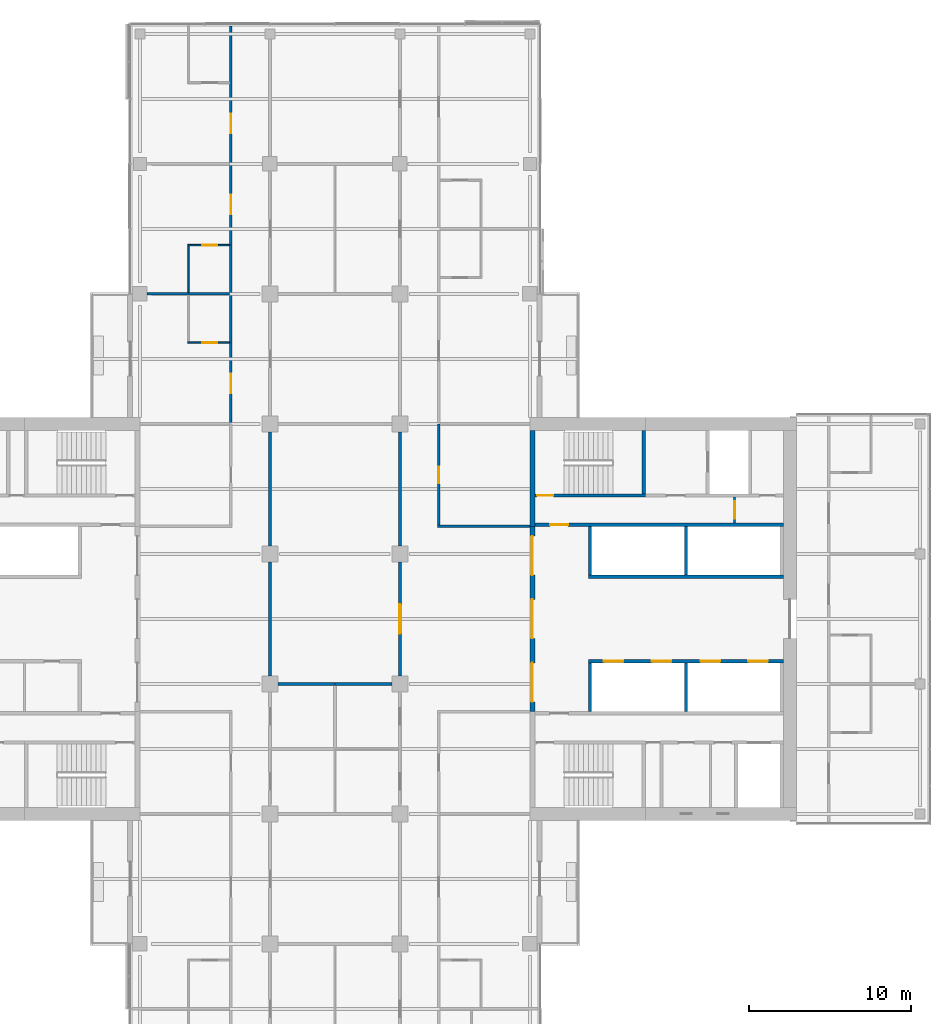
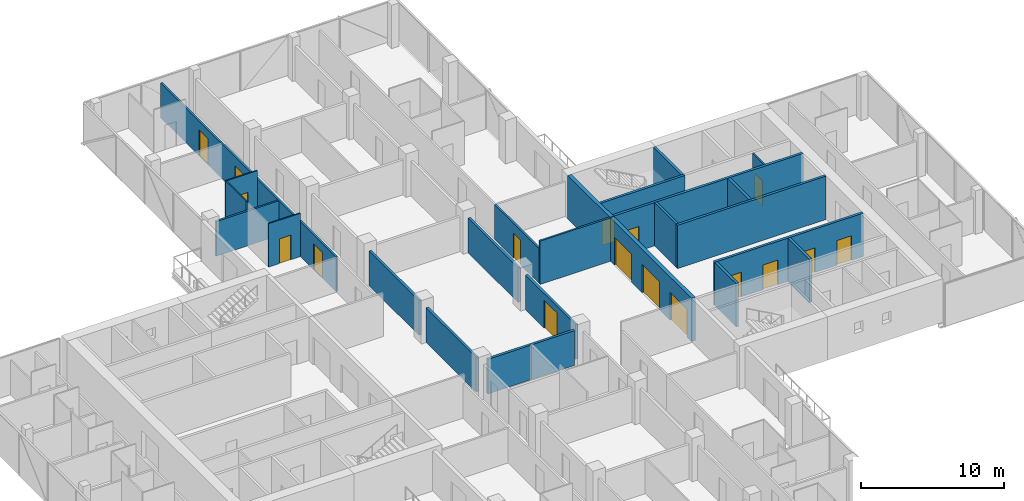
# One storey, part 18 of 25: 25 walls, 17 doors, 17 openings.
"""IFC4 building model written with IfcOpenShell, lengths in metres."""

from ifc_helpers import new_model, si_unit, direction, frame, frame_2d, origin, place, context, subcontext, project, spatial, rectangle, extrude, material, layer, layer_set, type_object, element, fill, save


model = new_model("IFC4")

# Units and contexts
model_context = context("Model", 3, precision=1e-05, world=origin(), true_north=direction((0.0, 1.0)))
body_context = subcontext(model_context, "Body", "Model", "MODEL_VIEW")
ifc_project = project(units=[si_unit("LENGTHUNIT", "METRE"), si_unit("AREAUNIT", "SQUARE_METRE"), si_unit("VOLUMEUNIT", "CUBIC_METRE"), si_unit("PLANEANGLEUNIT", "RADIAN"), si_unit("MASSUNIT", "GRAM", prefix="KILO")], contexts=[model_context])

# Site, building, storey
site_placement = place(None, origin())
site = spatial("IfcSite", under=ifc_project, at=site_placement, CompositionType="ELEMENT")
building_placement = place(site_placement, origin())
building = spatial("IfcBuilding", under=site, at=building_placement, Name="Crosswind Convention Tower", CompositionType="ELEMENT")
storey_placement = place(building_placement, frame((0.0, 0.0, 97.89990234375)))
storey = spatial("IfcBuildingStorey", under=building, at=storey_placement, Name="L19", CompositionType="ELEMENT", Elevation=97.89990234375)

# Walls
ifc_material_1 = material(Name="Concrete blockwork", Category="masonry")
ifc_layer_1 = layer(ifc_material_1, 0.199951171875)
ifc_layer_set_1 = layer_set([ifc_layer_1], Name="COMPARTMENT WALL 200")
wall_type_1 = type_object("IfcWallType", Name="COMPARTMENT WALL 200", PredefinedType="SOLIDWALL", material=ifc_layer_set_1)
wall_1_placement = place(storey_placement, frame((121.5, 96.0, 0.0), z_axis=(0.0, 0.0, 1.0), x_axis=(1.0, 0.0, 0.0)))
element("IfcWall", 1, at=wall_1_placement, inside=storey, type_object=wall_type_1, Name="Compartment Wall 23", PredefinedType="SOLIDWALL", context=body_context, shape_type="SweptSolid", body=[
    extrude(rectangle(XDim=3.5, YDim=0.199951171875, at=frame_2d((1.75, 0.0))), origin(), (0.0, 0.0, 1.0), 2.9599609375),
])
ifc_material_2 = material(Name="Plasterboard partition", Category="gypsum")
ifc_layer_2 = layer(ifc_material_2, 0.14990234375)
ifc_layer_set_2 = layer_set([ifc_layer_2], Name="CORRIDOR WALL 150")
wall_type_2 = type_object("IfcWallType", Name="CORRIDOR WALL 150", PredefinedType="PARTITIONING", material=ifc_layer_set_2)
wall_2_placement = place(storey_placement, frame((131.324951171875, 105.699951171875, 0.0), z_axis=(0.0, 0.0, 1.0), x_axis=(1.0, 0.0, 0.0)))
element("IfcWall", 2, at=wall_2_placement, inside=storey, type_object=wall_type_2, Name="Corridor Wall 33", PredefinedType="PARTITIONING", context=body_context, shape_type="SweptSolid", body=[
    extrude(rectangle(XDim=5.675048828125, YDim=0.14990234375, at=frame_2d((2.83740234375, 0.0))), origin(), (0.0, 0.0, 1.0), 3.7001953125),
])

# Wall, opening, door
wall_3_placement = place(storey_placement, frame((131.39990234375, 105.77490234375, 0.0), z_axis=(0.0, 0.0, 1.0), x_axis=(0.0, 1.0, 0.0)))
wall_3 = element("IfcWall", 3, at=wall_3_placement, inside=storey, type_object=wall_type_2, Name="Corridor Wall 91", PredefinedType="PARTITIONING", context=body_context, shape_type="SweptSolid", body=[
    extrude(rectangle(XDim=6.22509765625, YDim=0.14990234375, at=frame_2d((3.112548828125, 0.0))), origin(), (0.0, 0.0, 1.0), 2.95654296875),
])
opening_1_placement = place(wall_3_placement, frame((2.574951171875, 0.0, 0.0)))
opening_1 = element("IfcOpeningElement", 4, at=opening_1_placement, cuts=wall_3, Name="Opening 19.001", PredefinedType="OPENING", context=body_context, shape_type="SweptSolid", body=[
    extrude(rectangle(XDim=1.0, YDim=2.10009765625, at=frame_2d((0.5, 1.050048828125))), frame((0.0, 0.0849609375, 0.0), z_axis=(0.0, -1.0, 0.0), x_axis=(1.0, 0.0, 0.0)), (0.0, 0.0, 1.0), 0.169921875),
])
ifc_material_3 = material(Name="Timber fire door", Category="wood")
door_type_1 = type_object("IfcDoorType", Name="SERVICE ROOM DOOR 1000X2100", OperationType="NOTDEFINED", PredefinedType="DOOR", material=ifc_material_3)
door_1_placement = place(opening_1_placement, frame((1.0, 0.0, 0.0), z_axis=(0.0, 0.0, 1.0), x_axis=(-1.0, 0.0, 0.0)))
door_1 = element("IfcDoor", 5, at=door_1_placement, inside=storey, type_object=door_type_1, Name="Door 19.001", ObjectType="D3", OperationType="SINGLE_SWING_LEFT", OverallHeight=2.10009765625, OverallWidth=1.0, PredefinedType="DOOR", context=body_context, shape_type="SweptSolid", body=[
    extrude(rectangle(XDim=1.0, YDim=2.10009765625, at=frame_2d((0.5, 1.050048828125))), frame((0.0, 0.02490234375, 0.0), z_axis=(0.0, -1.0, 0.0), x_axis=(1.0, 0.0, 0.0)), (0.0, 0.0, 1.0), 0.050048828125),
])
fill(opening_1, door_1)

# Wall, openings, doors
ifc_material_4 = material(Name="Concrete C50/60", Category="concrete")
ifc_layer_3 = layer(ifc_material_4, 0.300048828125)
ifc_layer_set_3 = layer_set([ifc_layer_3], Name="Concrete C50/60")
wall_type_3 = type_object("IfcWallType", Name="Concrete inner core wall 300", PredefinedType="SHEAR", material=ifc_layer_set_3)
wall_4_placement = place(storey_placement, frame((137.14990234375, 94.300048828125, 0.0), z_axis=(0.0, 0.0, 1.0), x_axis=(0.0, 1.0, 0.0)))
wall_4 = element("IfcWall", 6, at=wall_4_placement, inside=storey, type_object=wall_type_3, Name="Wall SCR E L19", PredefinedType="SHEAR", context=body_context, shape_type="SweptSolid", body=[
    extrude(rectangle(XDim=11.39990234375, YDim=0.300048828125, at=frame_2d((5.699951171875, 0.0))), origin(), (0.0, 0.0, 1.0), 3.7001953125),
])
opening_2_placement = place(wall_4_placement, frame((0.60009765625, 0.0, 0.0)))
opening_2 = element("IfcOpeningElement", 7, at=opening_2_placement, cuts=wall_4, Name="Opening D100", PredefinedType="OPENING", context=body_context, shape_type="SweptSolid", body=[
    extrude(rectangle(XDim=2.39990234375, YDim=2.39990234375, at=frame_2d((1.199951171875, 1.199951171875))), frame((0.0, 0.159912109375, 0.0), z_axis=(0.0, -1.0, 0.0), x_axis=(1.0, 0.0, 0.0)), (0.0, 0.0, 1.0), 0.320068359375),
])
opening_3_placement = place(wall_4_placement, frame((4.5, 0.0, 0.0)))
opening_3 = element("IfcOpeningElement", 8, at=opening_3_placement, cuts=wall_4, Name="Opening D100", PredefinedType="OPENING", context=body_context, shape_type="SweptSolid", body=[
    extrude(rectangle(XDim=2.39990234375, YDim=2.39990234375, at=frame_2d((1.199951171875, 1.199951171875))), frame((0.0, 0.159912109375, 0.0), z_axis=(0.0, -1.0, 0.0), x_axis=(1.0, 0.0, 0.0)), (0.0, 0.0, 1.0), 0.320068359375),
])
opening_4_placement = place(wall_4_placement, frame((8.39990234375, 0.0, 0.0)))
opening_4 = element("IfcOpeningElement", 9, at=opening_4_placement, cuts=wall_4, Name="Opening D100", PredefinedType="OPENING", context=body_context, shape_type="SweptSolid", body=[
    extrude(rectangle(XDim=2.39990234375, YDim=2.39990234375, at=frame_2d((1.199951171875, 1.199951171875))), frame((0.0, 0.159912109375, 0.0), z_axis=(0.0, -1.0, 0.0), x_axis=(1.0, 0.0, 0.0)), (0.0, 0.0, 1.0), 0.320068359375),
])
ifc_material_5 = material(Name="Steel fire door with glazed vision panels", Category="steel")
door_type_2 = type_object("IfcDoorType", Name="Fire-rated double door 2400x2400", OperationType="DOUBLE_DOOR_SINGLE_SWING", PredefinedType="DOOR", material=ifc_material_5)
door_2_placement = place(opening_2_placement, origin())
door_2 = element("IfcDoor", 10, at=door_2_placement, inside=storey, type_object=door_type_2, Name="Lobby door 1 L19", ObjectType="D100", OperationType="DOUBLE_DOOR_SINGLE_SWING", OverallHeight=2.39990234375, OverallWidth=2.39990234375, PredefinedType="DOOR", context=body_context, shape_type="SweptSolid", body=[
    extrude(rectangle(XDim=2.39990234375, YDim=2.39990234375, at=frame_2d((1.199951171875, 1.199951171875))), frame((0.0, 0.02490234375, 0.0), z_axis=(0.0, -1.0, 0.0), x_axis=(1.0, 0.0, 0.0)), (0.0, 0.0, 1.0), 0.050048828125),
])
fill(opening_2, door_2)
door_3_placement = place(opening_3_placement, origin())
door_3 = element("IfcDoor", 11, at=door_3_placement, inside=storey, type_object=door_type_2, Name="Lobby door 2 L19", ObjectType="D100", OperationType="DOUBLE_DOOR_SINGLE_SWING", OverallHeight=2.39990234375, OverallWidth=2.39990234375, PredefinedType="DOOR", context=body_context, shape_type="SweptSolid", body=[
    extrude(rectangle(XDim=2.39990234375, YDim=2.39990234375, at=frame_2d((1.199951171875, 1.199951171875))), frame((0.0, 0.02490234375, 0.0), z_axis=(0.0, -1.0, 0.0), x_axis=(1.0, 0.0, 0.0)), (0.0, 0.0, 1.0), 0.050048828125),
])
fill(opening_3, door_3)
door_4_placement = place(opening_4_placement, origin())
door_4 = element("IfcDoor", 12, at=door_4_placement, inside=storey, type_object=door_type_2, Name="Lobby door 3 L19", ObjectType="D100", OperationType="DOUBLE_DOOR_SINGLE_SWING", OverallHeight=2.39990234375, OverallWidth=2.39990234375, PredefinedType="DOOR", context=body_context, shape_type="SweptSolid", body=[
    extrude(rectangle(XDim=2.39990234375, YDim=2.39990234375, at=frame_2d((1.199951171875, 1.199951171875))), frame((0.0, 0.02490234375, 0.0), z_axis=(0.0, -1.0, 0.0), x_axis=(1.0, 0.0, 0.0)), (0.0, 0.0, 1.0), 0.050048828125),
])
fill(opening_4, door_4)

# Walls
wall_5_placement = place(storey_placement, frame((137.14990234375, 105.699951171875, 0.0), z_axis=(0.0, 0.0, 1.0), x_axis=(0.0, 1.0, 0.0)))
element("IfcWall", 13, at=wall_5_placement, inside=storey, type_object=wall_type_3, Name="Wall EP E L19", PredefinedType="SHEAR", context=body_context, shape_type="SweptSolid", body=[
    extrude(rectangle(XDim=5.900146484375, YDim=0.300048828125, at=frame_2d((2.9501953125, 0.0))), origin(), (0.0, 0.0, 1.0), 3.7001953125),
])
ifc_layer_4 = layer(ifc_material_4, 0.199951171875)
ifc_layer_set_4 = layer_set([ifc_layer_4], Name="Concrete C50/60")
wall_type_4 = type_object("IfcWallType", Name="Concrete shaft and stair wall 200", PredefinedType="SHEAR", material=ifc_layer_set_4)
for number, where, z_axis, x_axis, name in (
    (14, (140.699951171875, 102.699951171875, 0.0), (0.0, 0.0, 1.0), (0.0, 1.0, 0.0), "Wall RPEND E L19"),
    (15, (146.60009765625, 102.699951171875, 0.0), (0.0, 0.0, 1.0), (0.0, 1.0, 0.0), "Wall RPSEP E L19"),
):
    element("IfcWall", number, at=place(storey_placement, frame(where, z_axis=z_axis, x_axis=x_axis)), inside=storey, type_object=wall_type_4, Name=name, PredefinedType="SHEAR", context=body_context, shape_type="SweptSolid", body=[
        extrude(rectangle(XDim=3.0, YDim=0.199951171875, at=frame_2d((1.5, 0.0))), origin(), (0.0, 0.0, 1.0), 3.7001953125),
    ])
wall_6_placement = place(storey_placement, frame((140.60009765625, 102.60009765625, 0.0), z_axis=(0.0, 0.0, 1.0), x_axis=(1.0, 0.0, 0.0)))
element("IfcWall", 16, at=wall_6_placement, inside=storey, type_object=wall_type_4, Name="Wall RPFRONT E L19", PredefinedType="SHEAR", context=body_context, shape_type="SweptSolid", body=[
    extrude(rectangle(XDim=12.0, YDim=0.199951171875, at=frame_2d((6.0, 0.0))), origin(), (0.0, 0.0, 1.0), 3.7001953125),
])
for number, where, z_axis, x_axis, name in (
    (17, (140.699951171875, 94.300048828125, 0.0), (0.0, 0.0, 1.0), (0.0, 1.0, 0.0), "Wall RMEND E L19"),
    (18, (146.60009765625, 94.300048828125, 0.0), (0.0, 0.0, 1.0), (0.0, 1.0, 0.0), "Wall RMSEP E L19"),
):
    element("IfcWall", number, at=place(storey_placement, frame(where, z_axis=z_axis, x_axis=x_axis)), inside=storey, type_object=wall_type_4, Name=name, PredefinedType="SHEAR", context=body_context, shape_type="SweptSolid", body=[
        extrude(rectangle(XDim=3.0, YDim=0.199951171875, at=frame_2d((1.5, 0.0))), origin(), (0.0, 0.0, 1.0), 3.7001953125),
    ])

# Wall, openings, doors
wall_7_placement = place(storey_placement, frame((140.60009765625, 97.39990234375, 0.0), z_axis=(0.0, 0.0, 1.0), x_axis=(1.0, 0.0, 0.0)))
wall_7 = element("IfcWall", 19, at=wall_7_placement, inside=storey, type_object=wall_type_4, Name="Wall RMFRONT E L19", PredefinedType="SHEAR", context=body_context, shape_type="SweptSolid", body=[
    extrude(rectangle(XDim=12.0, YDim=0.199951171875, at=frame_2d((6.0, 0.0))), origin(), (0.0, 0.0, 1.0), 3.7001953125),
])
opening_5_placement = place(wall_7_placement, frame((0.949951171875, 0.0, 0.0)))
opening_5 = element("IfcOpeningElement", 20, at=opening_5_placement, cuts=wall_7, Name="Opening LD1", PredefinedType="OPENING", context=body_context, shape_type="SweptSolid", body=[
    extrude(rectangle(XDim=1.199951171875, YDim=2.10009765625, at=frame_2d((0.60009765625, 1.050048828125))), frame((0.0, 0.10986328125, 0.0), z_axis=(0.0, -1.0, 0.0), x_axis=(1.0, 0.0, 0.0)), (0.0, 0.0, 1.0), 0.219970703125),
])
opening_6_placement = place(wall_7_placement, frame((3.89990234375, 0.0, 0.0)))
opening_6 = element("IfcOpeningElement", 21, at=opening_6_placement, cuts=wall_7, Name="Opening LD1", PredefinedType="OPENING", context=body_context, shape_type="SweptSolid", body=[
    extrude(rectangle(XDim=1.199951171875, YDim=2.10009765625, at=frame_2d((0.60009765625, 1.050048828125))), frame((0.0, 0.10986328125, 0.0), z_axis=(0.0, -1.0, 0.0), x_axis=(1.0, 0.0, 0.0)), (0.0, 0.0, 1.0), 0.219970703125),
])
opening_7_placement = place(wall_7_placement, frame((6.89990234375, 0.0, 0.0)))
opening_7 = element("IfcOpeningElement", 22, at=opening_7_placement, cuts=wall_7, Name="Opening LD1", PredefinedType="OPENING", context=body_context, shape_type="SweptSolid", body=[
    extrude(rectangle(XDim=1.199951171875, YDim=2.10009765625, at=frame_2d((0.60009765625, 1.050048828125))), frame((0.0, 0.10986328125, 0.0), z_axis=(0.0, -1.0, 0.0), x_axis=(1.0, 0.0, 0.0)), (0.0, 0.0, 1.0), 0.219970703125),
])
opening_8_placement = place(wall_7_placement, frame((9.85009765625, 0.0, 0.0)))
opening_8 = element("IfcOpeningElement", 23, at=opening_8_placement, cuts=wall_7, Name="Opening LD1", PredefinedType="OPENING", context=body_context, shape_type="SweptSolid", body=[
    extrude(rectangle(XDim=1.199951171875, YDim=2.10009765625, at=frame_2d((0.60009765625, 1.050048828125))), frame((0.0, 0.10986328125, 0.0), z_axis=(0.0, -1.0, 0.0), x_axis=(1.0, 0.0, 0.0)), (0.0, 0.0, 1.0), 0.219970703125),
])
ifc_material_6 = material(Name="Stainless steel", Category="steel")
door_type_3 = type_object("IfcDoorType", Name="Lift landing door 1200x2100", OperationType="DOUBLE_DOOR_SLIDING", PredefinedType="DOOR", material=ifc_material_6)
door_5_placement = place(opening_5_placement, origin())
door_5 = element("IfcDoor", 24, at=door_5_placement, inside=storey, type_object=door_type_3, Name="Landing door H1 L19", ObjectType="LD1", OperationType="DOUBLE_DOOR_SLIDING", OverallHeight=2.10009765625, OverallWidth=1.199951171875, PredefinedType="DOOR", context=body_context, shape_type="SweptSolid", body=[
    extrude(rectangle(XDim=1.199951171875, YDim=2.10009765625, at=frame_2d((0.60009765625, 1.050048828125))), frame((0.0, 0.02490234375, 0.0), z_axis=(0.0, -1.0, 0.0), x_axis=(1.0, 0.0, 0.0)), (0.0, 0.0, 1.0), 0.050048828125),
])
fill(opening_5, door_5)
door_6_placement = place(opening_6_placement, origin())
door_6 = element("IfcDoor", 25, at=door_6_placement, inside=storey, type_object=door_type_3, Name="Landing door H2 L19", ObjectType="LD1", OperationType="DOUBLE_DOOR_SLIDING", OverallHeight=2.10009765625, OverallWidth=1.199951171875, PredefinedType="DOOR", context=body_context, shape_type="SweptSolid", body=[
    extrude(rectangle(XDim=1.199951171875, YDim=2.10009765625, at=frame_2d((0.60009765625, 1.050048828125))), frame((0.0, 0.02490234375, 0.0), z_axis=(0.0, -1.0, 0.0), x_axis=(1.0, 0.0, 0.0)), (0.0, 0.0, 1.0), 0.050048828125),
])
fill(opening_6, door_6)
door_7_placement = place(opening_7_placement, origin())
door_7 = element("IfcDoor", 26, at=door_7_placement, inside=storey, type_object=door_type_3, Name="Landing door H3 L19", ObjectType="LD1", OperationType="DOUBLE_DOOR_SLIDING", OverallHeight=2.10009765625, OverallWidth=1.199951171875, PredefinedType="DOOR", context=body_context, shape_type="SweptSolid", body=[
    extrude(rectangle(XDim=1.199951171875, YDim=2.10009765625, at=frame_2d((0.60009765625, 1.050048828125))), frame((0.0, 0.02490234375, 0.0), z_axis=(0.0, -1.0, 0.0), x_axis=(1.0, 0.0, 0.0)), (0.0, 0.0, 1.0), 0.050048828125),
])
fill(opening_7, door_7)
door_8_placement = place(opening_8_placement, origin())
door_8 = element("IfcDoor", 27, at=door_8_placement, inside=storey, type_object=door_type_3, Name="Landing door H4 L19", ObjectType="LD1", OperationType="DOUBLE_DOOR_SLIDING", OverallHeight=2.10009765625, OverallWidth=1.199951171875, PredefinedType="DOOR", context=body_context, shape_type="SweptSolid", body=[
    extrude(rectangle(XDim=1.199951171875, YDim=2.10009765625, at=frame_2d((0.60009765625, 1.050048828125))), frame((0.0, 0.02490234375, 0.0), z_axis=(0.0, -1.0, 0.0), x_axis=(1.0, 0.0, 0.0)), (0.0, 0.0, 1.0), 0.050048828125),
])
fill(opening_8, door_8)

# Wall, opening, door
wall_8_placement = place(storey_placement, frame((137.300048828125, 105.800048828125, 0.0), z_axis=(0.0, 0.0, 1.0), x_axis=(1.0, 0.0, 0.0)))
wall_8 = element("IfcWall", 28, at=wall_8_placement, inside=storey, type_object=wall_type_4, Name="Wall HP E L19", PredefinedType="SHEAR", context=body_context, shape_type="SweptSolid", body=[
    extrude(rectangle(XDim=15.300048828125, YDim=0.199951171875, at=frame_2d((7.64990234375, 0.0))), origin(), (0.0, 0.0, 1.0), 3.7001953125),
])
opening_9_placement = place(wall_8_placement, frame((0.949951171875, 0.0, 0.0)))
opening_9 = element("IfcOpeningElement", 29, at=opening_9_placement, cuts=wall_8, Name="Opening D104", PredefinedType="OPENING", context=body_context, shape_type="SweptSolid", body=[
    extrude(rectangle(XDim=1.10009765625, YDim=2.10009765625, at=frame_2d((0.550048828125, 1.050048828125))), frame((0.0, 0.10986328125, 0.0), z_axis=(0.0, -1.0, 0.0), x_axis=(1.0, 0.0, 0.0)), (0.0, 0.0, 1.0), 0.219970703125),
])
ifc_material_7 = material(Name="Steel fire door", Category="steel")
door_type_4 = type_object("IfcDoorType", Name="Fire-rated single door 1100x2100", OperationType="NOTDEFINED", PredefinedType="DOOR", material=ifc_material_7)
door_9_placement = place(opening_9_placement, origin())
door_9 = element("IfcDoor", 30, at=door_9_placement, inside=storey, type_object=door_type_4, Name="Corridor door L19", ObjectType="D104", OperationType="SINGLE_SWING_LEFT", OverallHeight=2.10009765625, OverallWidth=1.10009765625, PredefinedType="DOOR", context=body_context, shape_type="SweptSolid", body=[
    extrude(rectangle(XDim=1.10009765625, YDim=2.10009765625, at=frame_2d((0.550048828125, 1.050048828125))), frame((0.0, 0.02490234375, 0.0), z_axis=(0.0, -1.0, 0.0), x_axis=(1.0, 0.0, 0.0)), (0.0, 0.0, 1.0), 0.050048828125),
])
fill(opening_9, door_9)

# Wall
wall_9_placement = place(storey_placement, frame((144.0, 107.699951171875, 0.0), z_axis=(0.0, 0.0, 1.0), x_axis=(0.0, 1.0, 0.0)))
element("IfcWall", 31, at=wall_9_placement, inside=storey, type_object=wall_type_4, Name="Wall PSE E L19", PredefinedType="SHEAR", context=body_context, shape_type="SweptSolid", body=[
    extrude(rectangle(XDim=3.900146484375, YDim=0.199951171875, at=frame_2d((1.9501953125, 0.0))), origin(), (0.0, 0.0, 1.0), 3.7001953125),
])

# Wall, opening, door
wall_10_placement = place(storey_placement, frame((137.300048828125, 107.60009765625, 0.0), z_axis=(0.0, 0.0, 1.0), x_axis=(1.0, 0.0, 0.0)))
wall_10 = element("IfcWall", 32, at=wall_10_placement, inside=storey, type_object=wall_type_4, Name="Wall PCW E L19", PredefinedType="SHEAR", context=body_context, shape_type="SweptSolid", body=[
    extrude(rectangle(XDim=6.800048828125, YDim=0.199951171875, at=frame_2d((3.39990234375, 0.0))), origin(), (0.0, 0.0, 1.0), 3.7001953125),
])
opening_10_placement = place(wall_10_placement, frame((0.14990234375, 0.0, 0.0)))
opening_10 = element("IfcOpeningElement", 33, at=opening_10_placement, cuts=wall_10, Name="Opening D103", PredefinedType="OPENING", context=body_context, shape_type="SweptSolid", body=[
    extrude(rectangle(XDim=1.0, YDim=2.10009765625, at=frame_2d((0.5, 1.050048828125))), frame((0.0, 0.10986328125, 0.0), z_axis=(0.0, -1.0, 0.0), x_axis=(1.0, 0.0, 0.0)), (0.0, 0.0, 1.0), 0.219970703125),
])
door_type_5 = type_object("IfcDoorType", Name="Fire-rated single door 1000x2100", OperationType="NOTDEFINED", PredefinedType="DOOR", material=ifc_material_7)
door_10_placement = place(opening_10_placement, origin())
door_10 = element("IfcDoor", 34, at=door_10_placement, inside=storey, type_object=door_type_5, Name="Stair ST1 door L19", ObjectType="D103", OperationType="SINGLE_SWING_LEFT", OverallHeight=2.10009765625, OverallWidth=1.0, PredefinedType="DOOR", context=body_context, shape_type="SweptSolid", body=[
    extrude(rectangle(XDim=1.0, YDim=2.10009765625, at=frame_2d((0.5, 1.050048828125))), frame((0.0, 0.02490234375, 0.0), z_axis=(0.0, -1.0, 0.0), x_axis=(1.0, 0.0, 0.0)), (0.0, 0.0, 1.0), 0.050048828125),
])
fill(opening_10, door_10)

ifc_material_8 = material(Name="Gypsum plasterboard partition", Category="gypsum")
ifc_layer_5 = layer(ifc_material_8, 0.125)
ifc_layer_set_5 = layer_set([ifc_layer_5], Name="Drywall partition wall 125")
wall_type_5 = type_object("IfcWallType", Name="Drywall partition wall 125", PredefinedType="PARTITIONING", material=ifc_layer_set_5)
wall_11_placement = place(storey_placement, frame((149.60009765625, 105.89990234375, 0.0), z_axis=(0.0, 0.0, 1.0), x_axis=(0.0, 1.0, 0.0)))
wall_11 = element("IfcWall", 35, at=wall_11_placement, inside=storey, type_object=wall_type_5, Name="Wall PXC1 E L19", PredefinedType="PARTITIONING", context=body_context, shape_type="SweptSolid", body=[
    extrude(rectangle(XDim=1.60009765625, YDim=0.125, at=frame_2d((0.800048828125, 0.0))), origin(), (0.0, 0.0, 1.0), 3.7001953125),
])
opening_11_placement = place(wall_11_placement, frame((0.25, 0.0, 0.0)))
opening_11 = element("IfcOpeningElement", 36, at=opening_11_placement, cuts=wall_11, Name="Opening D104", PredefinedType="OPENING", context=body_context, shape_type="SweptSolid", body=[
    extrude(rectangle(XDim=1.10009765625, YDim=2.10009765625, at=frame_2d((0.550048828125, 1.050048828125))), frame((0.0, 0.072509765625, 0.0), z_axis=(0.0, -1.0, 0.0), x_axis=(1.0, 0.0, 0.0)), (0.0, 0.0, 1.0), 0.14501953125),
])
door_11_placement = place(opening_11_placement, origin())
door_11 = element("IfcDoor", 37, at=door_11_placement, inside=storey, type_object=door_type_4, Name="Corridor smoke door L19", ObjectType="D104", OperationType="SINGLE_SWING_RIGHT", OverallHeight=2.10009765625, OverallWidth=1.10009765625, PredefinedType="DOOR", context=body_context, shape_type="SweptSolid", body=[
    extrude(rectangle(XDim=1.10009765625, YDim=2.10009765625, at=frame_2d((0.550048828125, 1.050048828125))), frame((0.0, 0.02490234375, 0.0), z_axis=(0.0, -1.0, 0.0), x_axis=(1.0, 0.0, 0.0)), (0.0, 0.0, 1.0), 0.050048828125),
])
fill(opening_11, door_11)

# Wall
ifc_material_9 = material(Name="Acoustic plasterboard partition", Category="gypsum")
ifc_layer_6 = layer(ifc_material_9, 0.14990234375)
ifc_layer_set_6 = layer_set([ifc_layer_6], Name="GUEST ROOM WALL 150")
wall_type_6 = type_object("IfcWallType", Name="GUEST ROOM WALL 150", PredefinedType="PARTITIONING", material=ifc_layer_set_6)
wall_12_placement = place(storey_placement, frame((113.449951171875, 120.0, 0.0), z_axis=(0.0, 0.0, 1.0), x_axis=(1.0, 0.0, 0.0)))
element("IfcWall", 38, at=wall_12_placement, inside=storey, type_object=wall_type_6, Name="Guest Room Wall 42", PredefinedType="PARTITIONING", context=body_context, shape_type="SweptSolid", body=[
    extrude(rectangle(XDim=5.074951171875, YDim=0.14990234375, at=frame_2d((2.53759765625, 0.0))), origin(), (0.0, 0.0, 1.0), 2.9599609375),
])

# Wall, openings, doors
wall_13_placement = place(storey_placement, frame((118.60009765625, 112.0, 0.0), z_axis=(0.0, 0.0, 1.0), x_axis=(0.0, 1.0, 0.0)))
wall_13 = element("IfcWall", 39, at=wall_13_placement, inside=storey, type_object=wall_type_6, Name="Guest Room Wall 65", PredefinedType="PARTITIONING", context=body_context, shape_type="SweptSolid", body=[
    extrude(rectangle(XDim=24.5, YDim=0.14990234375, at=frame_2d((12.25, 0.0))), origin(), (0.0, 0.0, 1.0), 2.95654296875),
])
opening_12_placement = place(wall_13_placement, frame((1.89990234375, 0.0, 0.0)))
opening_12 = element("IfcOpeningElement", 40, at=opening_12_placement, cuts=wall_13, Name="Opening 19.009", PredefinedType="OPENING", context=body_context, shape_type="SweptSolid", body=[
    extrude(rectangle(XDim=1.199951171875, YDim=2.199951171875, at=frame_2d((0.60009765625, 1.10009765625))), frame((0.0, 0.0849609375, 0.0), z_axis=(0.0, -1.0, 0.0), x_axis=(1.0, 0.0, 0.0)), (0.0, 0.0, 1.0), 0.169921875),
])
opening_13_placement = place(wall_13_placement, frame((12.89990234375, 0.0, 0.0)))
opening_13 = element("IfcOpeningElement", 41, at=opening_13_placement, cuts=wall_13, Name="Opening 19.011", PredefinedType="OPENING", context=body_context, shape_type="SweptSolid", body=[
    extrude(rectangle(XDim=1.199951171875, YDim=2.199951171875, at=frame_2d((0.60009765625, 1.10009765625))), frame((0.0, 0.0849609375, 0.0), z_axis=(0.0, -1.0, 0.0), x_axis=(1.0, 0.0, 0.0)), (0.0, 0.0, 1.0), 0.169921875),
])
opening_14_placement = place(wall_13_placement, frame((17.89990234375, 0.0, 0.0)))
opening_14 = element("IfcOpeningElement", 42, at=opening_14_placement, cuts=wall_13, Name="Opening 19.013", PredefinedType="OPENING", context=body_context, shape_type="SweptSolid", body=[
    extrude(rectangle(XDim=1.199951171875, YDim=2.199951171875, at=frame_2d((0.60009765625, 1.10009765625))), frame((0.0, 0.0849609375, 0.0), z_axis=(0.0, -1.0, 0.0), x_axis=(1.0, 0.0, 0.0)), (0.0, 0.0, 1.0), 0.169921875),
])
door_type_6 = type_object("IfcDoorType", Name="SUITE DOOR 1200X2200", OperationType="DOUBLE_DOOR_SINGLE_SWING", PredefinedType="DOOR", material=ifc_material_3)
door_12_placement = place(opening_12_placement, origin())
door_12 = element("IfcDoor", 43, at=door_12_placement, inside=storey, type_object=door_type_6, Name="Door 19.009", ObjectType="D14", OperationType="DOUBLE_DOOR_SINGLE_SWING", OverallHeight=2.199951171875, OverallWidth=1.199951171875, PredefinedType="DOOR", context=body_context, shape_type="SweptSolid", body=[
    extrude(rectangle(XDim=1.199951171875, YDim=2.199951171875, at=frame_2d((0.60009765625, 1.10009765625))), frame((0.0, 0.02490234375, 0.0), z_axis=(0.0, -1.0, 0.0), x_axis=(1.0, 0.0, 0.0)), (0.0, 0.0, 1.0), 0.050048828125),
])
fill(opening_12, door_12)
door_13_placement = place(opening_13_placement, origin())
door_13 = element("IfcDoor", 44, at=door_13_placement, inside=storey, type_object=door_type_6, Name="Door 19.011", ObjectType="D14", OperationType="DOUBLE_DOOR_SINGLE_SWING", OverallHeight=2.199951171875, OverallWidth=1.199951171875, PredefinedType="DOOR", context=body_context, shape_type="SweptSolid", body=[
    extrude(rectangle(XDim=1.199951171875, YDim=2.199951171875, at=frame_2d((0.60009765625, 1.10009765625))), frame((0.0, 0.02490234375, 0.0), z_axis=(0.0, -1.0, 0.0), x_axis=(1.0, 0.0, 0.0)), (0.0, 0.0, 1.0), 0.050048828125),
])
fill(opening_13, door_13)
door_14_placement = place(opening_14_placement, origin())
door_14 = element("IfcDoor", 45, at=door_14_placement, inside=storey, type_object=door_type_6, Name="Door 19.013", ObjectType="D14", OperationType="DOUBLE_DOOR_SINGLE_SWING", OverallHeight=2.199951171875, OverallWidth=1.199951171875, PredefinedType="DOOR", context=body_context, shape_type="SweptSolid", body=[
    extrude(rectangle(XDim=1.199951171875, YDim=2.199951171875, at=frame_2d((0.60009765625, 1.10009765625))), frame((0.0, 0.02490234375, 0.0), z_axis=(0.0, -1.0, 0.0), x_axis=(1.0, 0.0, 0.0)), (0.0, 0.0, 1.0), 0.050048828125),
])
fill(opening_14, door_14)

# Walls
ifc_material_10 = material(Name="Double plasterboard partition", Category="gypsum")
ifc_layer_7 = layer(ifc_material_10, 0.199951171875)
ifc_layer_set_7 = layer_set([ifc_layer_7], Name="HALL WALL 200")
wall_type_7 = type_object("IfcWallType", Name="HALL WALL 200", PredefinedType="PARTITIONING", material=ifc_layer_set_7)
wall_14_placement = place(storey_placement, frame((125.0, 96.0, 0.0), z_axis=(0.0, 0.0, 1.0), x_axis=(1.0, 0.0, 0.0)))
element("IfcWall", 46, at=wall_14_placement, inside=storey, type_object=wall_type_7, Name="Hall Wall 24", PredefinedType="PARTITIONING", context=body_context, shape_type="SweptSolid", body=[
    extrude(rectangle(XDim=3.5, YDim=0.199951171875, at=frame_2d((1.75, 0.0))), origin(), (0.0, 0.0, 1.0), 2.9599609375),
])
for number, where, z_axis, x_axis, name in (
    (47, (121.0, 96.5, 0.0), (0.0, 0.0, 1.0), (0.0, 1.0, 0.0), "Hall Wall 71"),
    (48, (121.0, 104.5, 0.0), (0.0, 0.0, 1.0), (0.0, 1.0, 0.0), "Hall Wall 72"),
):
    element("IfcWall", number, at=place(storey_placement, frame(where, z_axis=z_axis, x_axis=x_axis)), inside=storey, type_object=wall_type_7, Name=name, PredefinedType="PARTITIONING", context=body_context, shape_type="SweptSolid", body=[
        extrude(rectangle(XDim=7.0, YDim=0.199951171875, at=frame_2d((3.5, 0.0))), origin(), (0.0, 0.0, 1.0), 2.9599609375),
    ])

# Wall, opening, door
wall_15_placement = place(storey_placement, frame((129.0, 96.5, 0.0), z_axis=(0.0, 0.0, 1.0), x_axis=(0.0, 1.0, 0.0)))
wall_15 = element("IfcWall", 49, at=wall_15_placement, inside=storey, type_object=wall_type_7, Name="Hall Wall 84", PredefinedType="PARTITIONING", context=body_context, shape_type="SweptSolid", body=[
    extrude(rectangle(XDim=7.0, YDim=0.199951171875, at=frame_2d((3.5, 0.0))), origin(), (0.0, 0.0, 1.0), 2.9599609375),
])
opening_15_placement = place(wall_15_placement, frame((2.60009765625, 0.0, 0.0)))
opening_15 = element("IfcOpeningElement", 50, at=opening_15_placement, cuts=wall_15, Name="Opening 19.051", PredefinedType="OPENING", context=body_context, shape_type="SweptSolid", body=[
    extrude(rectangle(XDim=1.800048828125, YDim=2.39990234375, at=frame_2d((0.89990234375, 1.199951171875))), frame((0.0, 0.10986328125, 0.0), z_axis=(0.0, -1.0, 0.0), x_axis=(1.0, 0.0, 0.0)), (0.0, 0.0, 1.0), 0.219970703125),
])
door_type_7 = type_object("IfcDoorType", Name="HALL DOUBLE DOOR 1800X2400", OperationType="DOUBLE_DOOR_SINGLE_SWING", PredefinedType="DOOR", material=ifc_material_3)
door_15_placement = place(opening_15_placement, frame((1.800048828125, 0.0, 0.0), z_axis=(0.0, 0.0, 1.0), x_axis=(-1.0, 0.0, 0.0)))
door_15 = element("IfcDoor", 51, at=door_15_placement, inside=storey, type_object=door_type_7, Name="Door 19.051", ObjectType="D5", OperationType="DOUBLE_DOOR_SINGLE_SWING", OverallHeight=2.39990234375, OverallWidth=1.800048828125, PredefinedType="DOOR", context=body_context, shape_type="SweptSolid", body=[
    extrude(rectangle(XDim=1.800048828125, YDim=2.39990234375, at=frame_2d((0.89990234375, 1.199951171875))), frame((0.0, 0.02490234375, 0.0), z_axis=(0.0, -1.0, 0.0), x_axis=(1.0, 0.0, 0.0)), (0.0, 0.0, 1.0), 0.050048828125),
])
fill(opening_15, door_15)

# Wall
wall_16_placement = place(storey_placement, frame((129.0, 104.5, 0.0), z_axis=(0.0, 0.0, 1.0), x_axis=(0.0, 1.0, 0.0)))
element("IfcWall", 52, at=wall_16_placement, inside=storey, type_object=wall_type_7, Name="Hall Wall 85", PredefinedType="PARTITIONING", context=body_context, shape_type="SweptSolid", body=[
    extrude(rectangle(XDim=7.0, YDim=0.199951171875, at=frame_2d((3.5, 0.0))), origin(), (0.0, 0.0, 1.0), 2.9599609375),
])

# Wall, opening, door
ifc_material_11 = material(Name="Water-resistant plasterboard partition", Category="gypsum")
ifc_layer_8 = layer(ifc_material_11, 0.10009765625)
ifc_layer_set_8 = layer_set([ifc_layer_8], Name="WET ROOM PARTITION 100")
wall_type_8 = type_object("IfcWallType", Name="WET ROOM PARTITION 100", PredefinedType="PLUMBINGWALL", material=ifc_layer_set_8)
wall_17_placement = place(storey_placement, frame((115.949951171875, 117.0, 0.0), z_axis=(0.0, 0.0, 1.0), x_axis=(1.0, 0.0, 0.0)))
wall_17 = element("IfcWall", 53, at=wall_17_placement, inside=storey, type_object=wall_type_8, Name="Wet Room Partition 41", PredefinedType="PLUMBINGWALL", context=body_context, shape_type="SweptSolid", body=[
    extrude(rectangle(XDim=2.574951171875, YDim=0.10009765625, at=frame_2d((1.28759765625, 0.0))), origin(), (0.0, 0.0, 1.0), 3.7001953125),
])
opening_16_placement = place(wall_17_placement, frame((0.89990234375, 0.0, 0.0)))
opening_16 = element("IfcOpeningElement", 54, at=opening_16_placement, cuts=wall_17, Name="Opening 19.010", PredefinedType="OPENING", context=body_context, shape_type="SweptSolid", body=[
    extrude(rectangle(XDim=0.89990234375, YDim=2.10009765625, at=frame_2d((0.449951171875, 1.050048828125))), frame((0.0, 0.06005859375, 0.0), z_axis=(0.0, -1.0, 0.0), x_axis=(1.0, 0.0, 0.0)), (0.0, 0.0, 1.0), 0.1201171875),
])
ifc_material_12 = material(Name="Timber door", Category="wood")
door_type_8 = type_object("IfcDoorType", Name="EN-SUITE DOOR 900X2100", OperationType="NOTDEFINED", PredefinedType="DOOR", material=ifc_material_12)
door_16_placement = place(opening_16_placement, origin())
door_16 = element("IfcDoor", 55, at=door_16_placement, inside=storey, type_object=door_type_8, Name="Door 19.010", ObjectType="D2", OperationType="SINGLE_SWING_RIGHT", OverallHeight=2.10009765625, OverallWidth=0.89990234375, PredefinedType="DOOR", context=body_context, shape_type="SweptSolid", body=[
    extrude(rectangle(XDim=0.89990234375, YDim=2.10009765625, at=frame_2d((0.449951171875, 1.050048828125))), frame((0.0, 0.02490234375, 0.0), z_axis=(0.0, -1.0, 0.0), x_axis=(1.0, 0.0, 0.0)), (0.0, 0.0, 1.0), 0.050048828125),
])
fill(opening_16, door_16)

wall_18_placement = place(storey_placement, frame((115.949951171875, 123.0, 0.0), z_axis=(0.0, 0.0, 1.0), x_axis=(1.0, 0.0, 0.0)))
wall_18 = element("IfcWall", 56, at=wall_18_placement, inside=storey, type_object=wall_type_8, Name="Wet Room Partition 45", PredefinedType="PLUMBINGWALL", context=body_context, shape_type="SweptSolid", body=[
    extrude(rectangle(XDim=2.574951171875, YDim=0.10009765625, at=frame_2d((1.28759765625, 0.0))), origin(), (0.0, 0.0, 1.0), 3.7001953125),
])
opening_17_placement = place(wall_18_placement, frame((0.89990234375, 0.0, 0.0)))
opening_17 = element("IfcOpeningElement", 57, at=opening_17_placement, cuts=wall_18, Name="Opening 19.012", PredefinedType="OPENING", context=body_context, shape_type="SweptSolid", body=[
    extrude(rectangle(XDim=0.89990234375, YDim=2.10009765625, at=frame_2d((0.449951171875, 1.050048828125))), frame((0.0, 0.06005859375, 0.0), z_axis=(0.0, -1.0, 0.0), x_axis=(1.0, 0.0, 0.0)), (0.0, 0.0, 1.0), 0.1201171875),
])
door_17_placement = place(opening_17_placement, frame((0.89990234375, 0.0, 0.0), z_axis=(0.0, 0.0, 1.0), x_axis=(-1.0, 0.0, 0.0)))
door_17 = element("IfcDoor", 58, at=door_17_placement, inside=storey, type_object=door_type_8, Name="Door 19.012", ObjectType="D2", OperationType="SINGLE_SWING_LEFT", OverallHeight=2.10009765625, OverallWidth=0.89990234375, PredefinedType="DOOR", context=body_context, shape_type="SweptSolid", body=[
    extrude(rectangle(XDim=0.89990234375, YDim=2.10009765625, at=frame_2d((0.449951171875, 1.050048828125))), frame((0.0, 0.02490234375, 0.0), z_axis=(0.0, -1.0, 0.0), x_axis=(1.0, 0.0, 0.0)), (0.0, 0.0, 1.0), 0.050048828125),
])
fill(opening_17, door_17)

# Wall
wall_19_placement = place(storey_placement, frame((116.0, 120.074951171875, 0.0), z_axis=(0.0, 0.0, 1.0), x_axis=(0.0, 1.0, 0.0)))
element("IfcWall", 59, at=wall_19_placement, inside=storey, type_object=wall_type_8, Name="Wet Room Partition 60", PredefinedType="PLUMBINGWALL", context=body_context, shape_type="SweptSolid", body=[
    extrude(rectangle(XDim=2.875, YDim=0.10009765625, at=frame_2d((1.4375, 0.0))), origin(), (0.0, 0.0, 1.0), 3.7001953125),
])

save(model, "model.ifc")
